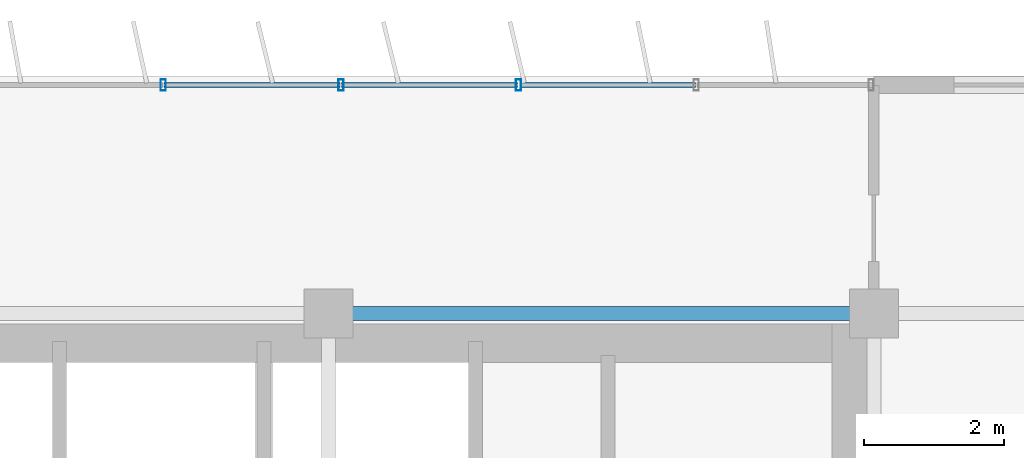
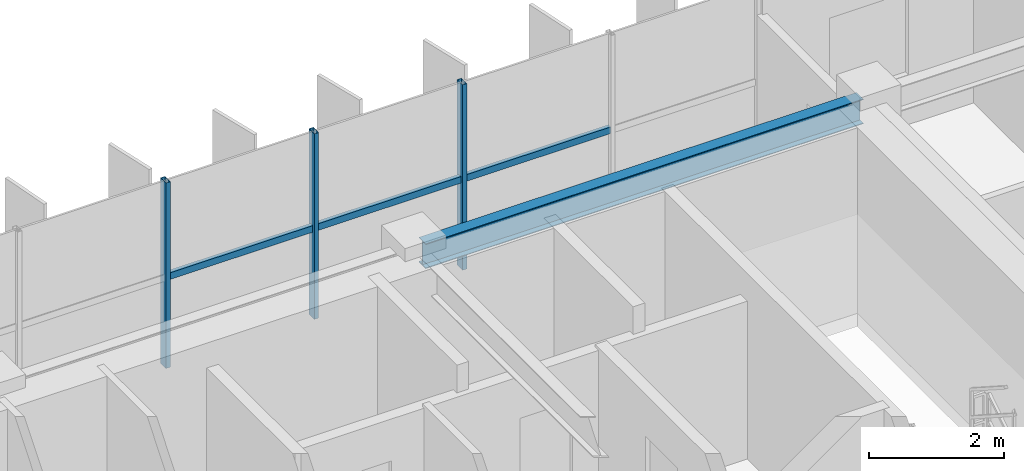
# One storey, part 12 of 23: 6 members, 1 beam, 1 element without a shape of its own.
"""IFC4 building model written with IfcOpenShell, lengths in metres."""

from ifc_helpers import new_model, si_unit, direction, frame, origin, origin_2d, place, context, subcontext, project, spatial, hollow_rectangle, i_section, extrude, source, transform, mapped, material, material_profile, profile_set, type_object, element, aggregate, save


model = new_model("IFC4")

# Units and contexts
model_context = context("Model", 3, precision=1e-05, world=origin(), true_north=direction((0.0, 1.0)))
body_context = subcontext(model_context, "Body", "Model", "MODEL_VIEW")
ifc_project = project(units=[si_unit("LENGTHUNIT", "METRE"), si_unit("AREAUNIT", "SQUARE_METRE"), si_unit("VOLUMEUNIT", "CUBIC_METRE"), si_unit("PLANEANGLEUNIT", "RADIAN"), si_unit("MASSUNIT", "GRAM", prefix="KILO")], contexts=[model_context])

# Site, building, storey
site_placement = place(None, origin())
site = spatial("IfcSite", under=ifc_project, at=site_placement, CompositionType="ELEMENT")
building_placement = place(site_placement, origin())
building = spatial("IfcBuilding", under=site, at=building_placement, Name="Trelvane Seafront Commons", CompositionType="ELEMENT")
storey_placement = place(building_placement, frame((0.0, 0.0, 226.5)))
storey = spatial("IfcBuildingStorey", under=building, at=storey_placement, Name="L59", CompositionType="ELEMENT", Elevation=226.5)

# Beam
ifc_material_1 = material(Name="Steel SM355 (S355)", Category="steel")
ifc_material_profile_1 = material_profile(ifc_material_1, i_section(OverallWidth=0.199951171875, OverallDepth=0.449951171875, WebThickness=0.009033203125, FlangeThickness=0.013916015625, at=origin_2d()), Name="H-450x200x9x14")
ifc_profile_set_1 = profile_set([ifc_material_profile_1], Name="Steel SM355 (S355)")
beam_type = type_object("IfcBeamType", Name="STR-SPD-H450", PredefinedType="SPANDREL", material=ifc_profile_set_1)
shared_shape_1 = source(origin(), body_context, "Body", "SweptSolid", [
    extrude(i_section(OverallWidth=0.199951171875, OverallDepth=0.449951171875, WebThickness=0.009033203125, FlangeThickness=0.013916015625, at=origin_2d()), origin(), (0.0, 0.0, 1.0), 7.5),
])
beam_placement = place(storey_placement, frame((51.14990234375, 45.10009765625, 3.135009765625), z_axis=(1.0, 0.0, 0.0), x_axis=(0.0, 1.0, 0.0)))
element("IfcBeam", 1, at=beam_placement, inside=storey, type_object=beam_type, Name="L59 Primary Girder G-27", PredefinedType="SPANDREL", context=body_context, shape_type="MappedRepresentation", body=[
    mapped(shared_shape_1, transform((0.0, 0.0, 0.0), x_axis=(1.0, 0.0, 0.0), y_axis=(0.0, 1.0, 0.0), z_axis=(0.0, 0.0, 1.0), scale=1.0)),
])

# Curtain wall, members
ifc_material_2 = material(Name="Anodised pale-silver aluminium", Category="aluminium")
curtain_wall_type = type_object("IfcCurtainWallType", Name="ARCH-CW5-UPTOWER", PredefinedType="NOTDEFINED", material=ifc_material_2)
curtain_wall_placement = place(storey_placement, origin())
curtain_wall = element("IfcCurtainWall", 2, at=curtain_wall_placement, inside=storey, type_object=curtain_wall_type, Name="CW-L59-0102", PredefinedType="NOTDEFINED")
ifc_material_profile_2 = material_profile(ifc_material_2, hollow_rectangle(XDim=0.070068359375, YDim=0.1201171875, WallThickness=0.00390625, at=origin_2d()), Name="TRAN-70x120x4")
ifc_profile_set_2 = profile_set([ifc_material_profile_2], Name="Anodised pale-silver aluminium")
member_type_1 = type_object("IfcMemberType", Name="ARCH-CW-TRAN-120", PredefinedType="USERDEFINED", material=ifc_profile_set_2)
shared_shape_2 = source(origin(), body_context, "Body", "SweptSolid", [
    extrude(hollow_rectangle(XDim=0.070068359375, YDim=0.1201171875, WallThickness=0.00390625, at=origin_2d()), origin(), (0.0, 0.0, 1.0), 2.51708984375),
])
member_1_placement = place(storey_placement, frame((51.1884765625, 48.3701171875, 1.613037109375), z_axis=(1.0, 0.0, 0.0), x_axis=(0.0, 1.0, 0.0)))
member_1 = element("IfcMember", 3, at=member_1_placement, type_object=member_type_1, Name="CW-L59-0102-T14", ObjectType="TRANSOM", PredefinedType="USERDEFINED", context=body_context, shape_type="MappedRepresentation", body=[
    mapped(shared_shape_2, transform((0.0, 0.0, 0.0), x_axis=(1.0, 0.0, 0.0), y_axis=(0.0, 1.0, 0.0), z_axis=(0.0, 0.0, 1.0), scale=1.0)),
])
shared_shape_3 = source(origin(), body_context, "Body", "SweptSolid", [
    extrude(hollow_rectangle(XDim=0.070068359375, YDim=0.1201171875, WallThickness=0.00390625, at=origin_2d()), origin(), (0.0, 0.0, 1.0), 2.517333984375),
])
member_2_placement = place(storey_placement, frame((48.647216796875, 48.3701171875, 1.613037109375), z_axis=(1.0, 0.0, 0.0), x_axis=(0.0, 1.0, 0.0)))
member_2 = element("IfcMember", 4, at=member_2_placement, type_object=member_type_1, Name="CW-L59-0102-T13", ObjectType="TRANSOM", PredefinedType="USERDEFINED", context=body_context, shape_type="MappedRepresentation", body=[
    mapped(shared_shape_3, transform((0.0, 0.0, 0.0), x_axis=(1.0, 0.0, 0.0), y_axis=(0.0, 1.0, 0.0), z_axis=(0.0, 0.0, 1.0), scale=1.0)),
])
member_3_placement = place(storey_placement, frame((53.7294921875, 48.3701171875, 1.613037109375), z_axis=(1.0, 0.0, 0.0), x_axis=(0.0, 1.0, 0.0)))
member_3 = element("IfcMember", 5, at=member_3_placement, type_object=member_type_1, Name="CW-L59-0102-T15", ObjectType="TRANSOM", PredefinedType="USERDEFINED", context=body_context, shape_type="MappedRepresentation", body=[
    mapped(shared_shape_3, transform((0.0, 0.0, 0.0), x_axis=(1.0, 0.0, 0.0), y_axis=(0.0, 1.0, 0.0), z_axis=(0.0, 0.0, 1.0), scale=1.0)),
])
ifc_material_profile_3 = material_profile(ifc_material_2, hollow_rectangle(XDim=0.074951171875, YDim=0.159912109375, WallThickness=0.00390625, at=origin_2d()), Name="MULL-75x160x4")
ifc_profile_set_3 = profile_set([ifc_material_profile_3], Name="Anodised pale-silver aluminium")
member_type_2 = type_object("IfcMemberType", Name="ARCH-CW-MULL-160", PredefinedType="MULLION", material=ifc_profile_set_3)
shared_shape_4 = source(origin(), body_context, "Body", "SweptSolid", [
    extrude(hollow_rectangle(XDim=0.074951171875, YDim=0.159912109375, WallThickness=0.00390625, at=origin_2d()), origin(), (0.0, 0.0, 1.0), 3.360107421875),
])
member_4_placement = place(storey_placement, frame((48.63525390625, 48.3701171875, 0.0), z_axis=(0.0, 0.0, 1.0), x_axis=(1.0, 0.0, 0.0)))
member_4 = element("IfcMember", 6, at=member_4_placement, type_object=member_type_2, Name="CW-L59-0102-M13", PredefinedType="MULLION", context=body_context, shape_type="MappedRepresentation", body=[
    mapped(shared_shape_4, transform((0.0, 0.0, 0.0), x_axis=(1.0, 0.0, 0.0), y_axis=(0.0, 1.0, 0.0), z_axis=(0.0, 0.0, 1.0), scale=1.0)),
])
member_5_placement = place(storey_placement, frame((51.176513671875, 48.3701171875, 0.0), z_axis=(0.0, 0.0, 1.0), x_axis=(1.0, 0.0, 0.0)))
member_5 = element("IfcMember", 7, at=member_5_placement, type_object=member_type_2, Name="CW-L59-0102-M14", PredefinedType="MULLION", context=body_context, shape_type="MappedRepresentation", body=[
    mapped(shared_shape_4, transform((0.0, 0.0, 0.0), x_axis=(1.0, 0.0, 0.0), y_axis=(0.0, 1.0, 0.0), z_axis=(0.0, 0.0, 1.0), scale=1.0)),
])
member_6_placement = place(storey_placement, frame((53.717529296875, 48.3701171875, 0.0), z_axis=(0.0, 0.0, 1.0), x_axis=(1.0, 0.0, 0.0)))
member_6 = element("IfcMember", 8, at=member_6_placement, type_object=member_type_2, Name="CW-L59-0102-M15", PredefinedType="MULLION", context=body_context, shape_type="MappedRepresentation", body=[
    mapped(shared_shape_4, transform((0.0, 0.0, 0.0), x_axis=(1.0, 0.0, 0.0), y_axis=(0.0, 1.0, 0.0), z_axis=(0.0, 0.0, 1.0), scale=1.0)),
])
aggregate(curtain_wall, [member_4, member_5, member_6, member_2, member_1, member_3])

save(model, "model.ifc")
